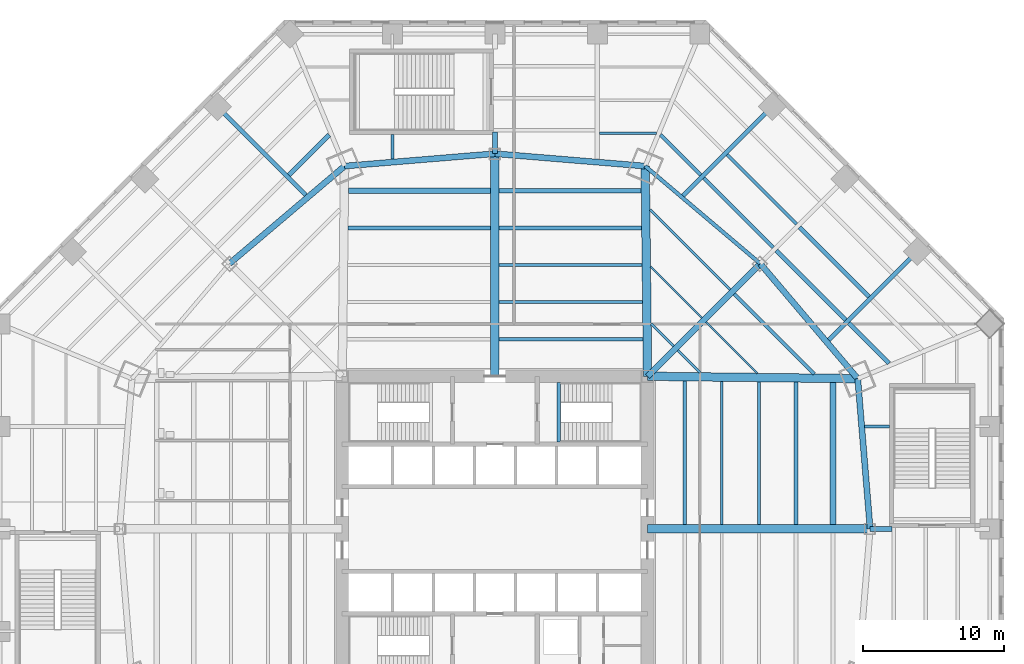
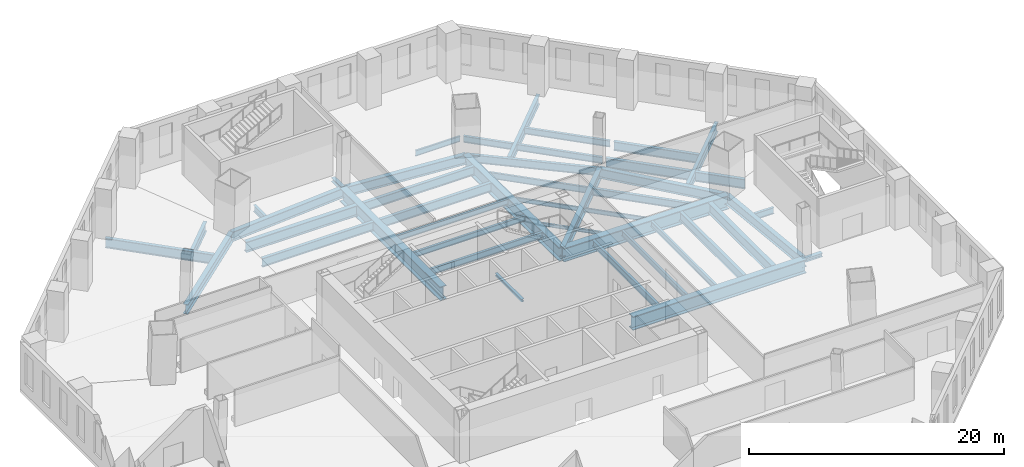
# One storey, part 5 of 19: 43 beams, 2 members.
"""IFC4 building model written with IfcOpenShell, lengths in metres."""

from ifc_helpers import new_model, si_unit, direction, frame, origin, origin_2d, place, context, subcontext, project, spatial, i_section, extrude, source, transform, mapped, material, material_profile, profile_set, type_object, type_shapes, element, save


model = new_model("IFC4")

# Units and contexts
model_context = context("Model", 3, precision=1e-05, world=origin(), true_north=direction((0.0, 1.0)))
body_context = subcontext(model_context, "Body", "Model", "MODEL_VIEW")
ifc_project = project(units=[si_unit("LENGTHUNIT", "METRE"), si_unit("AREAUNIT", "SQUARE_METRE"), si_unit("VOLUMEUNIT", "CUBIC_METRE"), si_unit("PLANEANGLEUNIT", "RADIAN"), si_unit("MASSUNIT", "GRAM", prefix="KILO")], contexts=[model_context])

# Site, building, storey
site_placement = place(None, origin())
site = spatial("IfcSite", under=ifc_project, at=site_placement, CompositionType="ELEMENT")
building_placement = place(site_placement, origin())
building = spatial("IfcBuilding", under=site, at=building_placement, Name="Mashrafa Tower", CompositionType="ELEMENT")
storey_placement = place(building_placement, frame((0.0, 0.0, 24.0)))
storey = spatial("IfcBuildingStorey", under=building, at=storey_placement, Name="L04", CompositionType="ELEMENT", Elevation=24.0)

# Beams
ifc_material_1 = material(Name="Steel ASTM A572 Gr 50", Category="steel")
ifc_material_profile_1 = material_profile(ifc_material_1, i_section(OverallWidth=0.60009765625, OverallDepth=1.300048828125, WebThickness=0.028076171875, FlangeThickness=0.06494140625, at=origin_2d()), Name="H1300X600X28X65")
ifc_profile_set_1 = profile_set([ifc_material_profile_1], Name="Steel ASTM A572 Gr 50")
beam_type_1 = type_object("IfcBeamType", Name="Beam H1300X600X28X65", PredefinedType="BEAM", material=ifc_profile_set_1)
for number, where, z_axis, x_axis, name in (
    (1, (0.0, 10.800048828125, -0.949951171875), (0.0, 1.0, 0.0), (-1.0, 0.0, 0.0), "Radial girder L04 217"),
    (2, (10.800048828125, 0.0, -0.949951171875), (1.0, 0.0, 0.0), (0.0, 1.0, 0.0), "Radial girder L04 221"),
):
    element("IfcBeam", number, at=place(storey_placement, frame(where, z_axis=z_axis, x_axis=x_axis)), inside=storey, type_object=beam_type_1, Name=name, PredefinedType="BEAM", context=body_context, shape_type="SweptSolid", body=[
        extrude(i_section(OverallWidth=0.60009765625, OverallDepth=1.300048828125, WebThickness=0.028076171875, FlangeThickness=0.06494140625, at=origin_2d()), origin(), (0.0, 0.0, 1.0), 15.744140625),
    ])
for number, where, z_axis, x_axis, name in (
    (3, (10.800048828125, 10.800048828125, -0.949951171875), (-0.011363835661, 0.999935429535, 0.0), (-0.999935429535, -0.011363835661, 0.0), "Radial girder L04 222"),
    (4, (10.800048828125, 10.800048828125, -0.949951171875), (0.999935429535, -0.011363835661, 0.0), (0.011363835661, 0.999935429535, 0.0), "Radial girder L04 224"),
):
    element("IfcBeam", number, at=place(storey_placement, frame(where, z_axis=z_axis, x_axis=x_axis)), inside=storey, type_object=beam_type_1, Name=name, PredefinedType="BEAM", context=body_context, shape_type="SweptSolid", body=[
        extrude(i_section(OverallWidth=0.60009765625, OverallDepth=1.300048828125, WebThickness=0.028076171875, FlangeThickness=0.06494140625, at=origin_2d()), origin(), (0.0, 0.0, 1.0), 14.866943359375),
    ])
ifc_material_2 = material(Name="Steel ASTM A992", Category="steel")
ifc_material_profile_2 = material_profile(ifc_material_2, i_section(OverallWidth=0.164794921875, OverallDepth=0.309814453125, WebThickness=0.005859375, FlangeThickness=0.009765625, FilletRadius=0.007568359375, at=origin_2d()), Name="W12X26")
ifc_profile_set_2 = profile_set([ifc_material_profile_2], Name="Steel ASTM A992")
beam_type_2 = type_object("IfcBeamType", Name="Beam W12X26", PredefinedType="BEAM", material=ifc_profile_set_2)
for number, where, z_axis, x_axis, name in (
    (5, (11.0576171875, 14.527099609375, -0.454833984375), (0.707106781187, -0.707106781187, 0.0), (0.707106781187, 0.707106781187, 0.0), "Floor beam L04 078"),
    (6, (12.9423828125, 12.642333984375, -0.454833984375), (0.707106781187, -0.707106781187, 0.0), (0.707106781187, 0.707106781187, 0.0), "Floor beam L04 084"),
):
    element("IfcBeam", number, at=place(storey_placement, frame(where, z_axis=z_axis, x_axis=x_axis)), inside=storey, type_object=beam_type_2, Name=name, PredefinedType="BEAM", context=body_context, shape_type="SweptSolid", body=[
        extrude(i_section(OverallWidth=0.164794921875, OverallDepth=0.309814453125, WebThickness=0.005859375, FlangeThickness=0.009765625, FilletRadius=0.007568359375, at=origin_2d()), origin(), (0.0, 0.0, 1.0), 2.2412109375),
    ])
ifc_material_3 = material(Name="Steel ASTM A992", Category="steel")
ifc_material_profile_3 = material_profile(ifc_material_3, i_section(OverallWidth=0.140380859375, OverallDepth=0.40380859375, WebThickness=0.007080078125, FlangeThickness=0.01123046875, FilletRadius=0.01025390625, at=origin_2d()), Name="W16X31")
ifc_profile_set_3 = profile_set([ifc_material_profile_3], Name="Steel ASTM A992")
beam_type_3 = type_object("IfcBeamType", Name="Beam W16X31", PredefinedType="BEAM", material=ifc_profile_set_3)
for number, where, z_axis, x_axis, name in (
    (7, (11.011962890625, 18.5576171875, -0.501953125), (0.707106781187, -0.707106781187, 0.0), (0.707106781187, 0.707106781187, 0.0), "Floor beam L04 075"),
    (8, (14.934814453125, 14.634765625, -0.501953125), (0.707106781187, -0.707106781187, 0.0), (0.707106781187, 0.707106781187, 0.0), "Floor beam L04 090"),
):
    element("IfcBeam", number, at=place(storey_placement, frame(where, z_axis=z_axis, x_axis=x_axis)), inside=storey, type_object=beam_type_3, Name=name, PredefinedType="BEAM", context=body_context, shape_type="SweptSolid", body=[
        extrude(i_section(OverallWidth=0.140380859375, OverallDepth=0.40380859375, WebThickness=0.007080078125, FlangeThickness=0.01123046875, FilletRadius=0.01025390625, at=origin_2d()), origin(), (0.0, 0.0, 1.0), 5.12353515625),
    ])
ifc_material_4 = material(Name="Steel ASTM A992", Category="steel")
ifc_material_profile_4 = material_profile(ifc_material_4, i_section(OverallWidth=0.1650390625, OverallDepth=0.52587890625, WebThickness=0.0087890625, FlangeThickness=0.011474609375, FilletRadius=0.0126953125, at=origin_2d()), Name="W21X44")
ifc_profile_set_4 = profile_set([ifc_material_profile_4], Name="Steel ASTM A992")
beam_type_4 = type_object("IfcBeamType", Name="Beam W21X44", PredefinedType="BEAM", material=ifc_profile_set_4)
beam_1_placement = place(storey_placement, frame((7.40234375, 27.99951171875, -0.56298828125), z_axis=(1.0, 0.0, 0.0), x_axis=(0.0, 1.0, 0.0)))
element("IfcBeam", 9, at=beam_1_placement, inside=storey, type_object=beam_type_4, Name="Floor beam L04 069", PredefinedType="BEAM", context=body_context, shape_type="SweptSolid", body=[
    extrude(i_section(OverallWidth=0.1650390625, OverallDepth=0.52587890625, WebThickness=0.0087890625, FlangeThickness=0.011474609375, FilletRadius=0.0126953125, at=origin_2d()), origin(), (0.0, 0.0, 1.0), 4.029052734375),
])
ifc_material_5 = material(Name="Steel ASTM A992", Category="steel")
ifc_material_profile_5 = material_profile(ifc_material_5, i_section(OverallWidth=0.209228515625, OverallDepth=0.533447265625, WebThickness=0.01025390625, FlangeThickness=0.015625, FilletRadius=0.012939453125, at=origin_2d()), Name="W21X62")
ifc_profile_set_5 = profile_set([ifc_material_profile_5], Name="Steel ASTM A992")
beam_type_5 = type_object("IfcBeamType", Name="Beam W21X62", PredefinedType="BEAM", material=ifc_profile_set_5)
beam_2_placement = place(storey_placement, frame((0.300048828125, 16.048095703125, -0.566650390625), z_axis=(1.0, 0.0, 0.0), x_axis=(0.0, 1.0, 0.0)))
element("IfcBeam", 10, at=beam_2_placement, inside=storey, type_object=beam_type_5, Name="Floor beam L04 062", PredefinedType="BEAM", context=body_context, shape_type="SweptSolid", body=[
    extrude(i_section(OverallWidth=0.209228515625, OverallDepth=0.533447265625, WebThickness=0.01025390625, FlangeThickness=0.015625, FilletRadius=0.012939453125, at=origin_2d()), origin(), (0.0, 0.0, 1.0), 10.140380859375),
])
beam_3_placement = place(storey_placement, frame((0.300048828125, 18.672119140625, -0.566650390625), z_axis=(1.0, 0.0, 0.0), x_axis=(0.0, 1.0, 0.0)))
element("IfcBeam", 11, at=beam_3_placement, inside=storey, type_object=beam_type_5, Name="Floor beam L04 063", PredefinedType="BEAM", context=body_context, shape_type="SweptSolid", body=[
    extrude(i_section(OverallWidth=0.209228515625, OverallDepth=0.533447265625, WebThickness=0.01025390625, FlangeThickness=0.015625, FilletRadius=0.012939453125, at=origin_2d()), origin(), (0.0, 0.0, 1.0), 10.110595703125),
])
beam_4_placement = place(storey_placement, frame((16.048095703125, 10.4404296875, -0.566650390625), z_axis=(0.0, -1.0, 0.0), x_axis=(1.0, 0.0, 0.0)))
element("IfcBeam", 12, at=beam_4_placement, inside=storey, type_object=beam_type_5, Name="Floor beam L04 093", PredefinedType="BEAM", context=body_context, shape_type="SweptSolid", body=[
    extrude(i_section(OverallWidth=0.209228515625, OverallDepth=0.533447265625, WebThickness=0.01025390625, FlangeThickness=0.015625, FilletRadius=0.012939453125, at=origin_2d()), origin(), (0.0, 0.0, 1.0), 10.140380859375),
])
beam_5_placement = place(storey_placement, frame((18.672119140625, 10.41064453125, -0.566650390625), z_axis=(0.0, -1.0, 0.0), x_axis=(1.0, 0.0, 0.0)))
element("IfcBeam", 13, at=beam_5_placement, inside=storey, type_object=beam_type_5, Name="Floor beam L04 097", PredefinedType="BEAM", context=body_context, shape_type="SweptSolid", body=[
    extrude(i_section(OverallWidth=0.209228515625, OverallDepth=0.533447265625, WebThickness=0.01025390625, FlangeThickness=0.015625, FilletRadius=0.012939453125, at=origin_2d()), origin(), (0.0, 0.0, 1.0), 10.110595703125),
])
ifc_material_6 = material(Name="Steel ASTM A992", Category="steel")
ifc_material_profile_6 = material_profile(ifc_material_6, i_section(OverallWidth=0.177978515625, OverallDepth=0.599365234375, WebThickness=0.010009765625, FlangeThickness=0.012939453125, FilletRadius=0.012939453125, at=origin_2d()), Name="W24X55")
ifc_profile_set_6 = profile_set([ifc_material_profile_6], Name="Steel ASTM A992")
beam_type_6 = type_object("IfcBeamType", Name="Beam W24X55", PredefinedType="BEAM", material=ifc_profile_set_6)
beam_6_placement = place(storey_placement, frame((10.96630859375, 22.588134765625, -0.599609375), z_axis=(0.707106781187, -0.707106781187, 0.0), x_axis=(0.707106781187, 0.707106781187, 0.0)))
element("IfcBeam", 14, at=beam_6_placement, inside=storey, type_object=beam_type_6, Name="Floor beam L04 073", PredefinedType="BEAM", context=body_context, shape_type="SweptSolid", body=[
    extrude(i_section(OverallWidth=0.177978515625, OverallDepth=0.599365234375, WebThickness=0.010009765625, FlangeThickness=0.012939453125, FilletRadius=0.012939453125, at=origin_2d()), origin(), (0.0, 0.0, 1.0), 8.005615234375),
])
ifc_material_7 = material(Name="Steel ASTM A992", Category="steel")
ifc_material_profile_7 = material_profile(ifc_material_7, i_section(OverallWidth=0.227783203125, OverallDepth=0.60205078125, WebThickness=0.010498046875, FlangeThickness=0.014892578125, FilletRadius=0.012939453125, at=origin_2d()), Name="W24X68")
ifc_profile_set_7 = profile_set([ifc_material_profile_7], Name="Steel ASTM A992")
beam_type_7 = type_object("IfcBeamType", Name="Beam W24X68", PredefinedType="BEAM", material=ifc_profile_set_7)
beam_7_placement = place(storey_placement, frame((16.431640625, 26.465576171875, -0.60107421875), z_axis=(0.707124347529, -0.707089214407, 0.0), x_axis=(0.707089214407, 0.707124347529, 0.0)))
element("IfcBeam", 15, at=beam_7_placement, inside=storey, type_object=beam_type_7, Name="Floor beam L04 082 part 2", PredefinedType="BEAM", context=body_context, shape_type="SweptSolid", body=[
    extrude(i_section(OverallWidth=0.227783203125, OverallDepth=0.60205078125, WebThickness=0.010498046875, FlangeThickness=0.014892578125, FilletRadius=0.012939453125, at=origin_2d()), origin(), (0.0, 0.0, 1.0), 6.948974609375),
])
for number, where, z_axis, x_axis, name in (
    (16, (-7.248779296875, 26.15576171875, -0.60107421875), (0.0, 1.0, 0.0), (-1.0, 0.0, 0.0), "Podium radial beam L04 169"),
    (17, (26.15576171875, 7.248779296875, -0.60107421875), (1.0, 0.0, 0.0), (0.0, 1.0, 0.0), "Podium radial beam L04 189"),
):
    element("IfcBeam", number, at=place(storey_placement, frame(where, z_axis=z_axis, x_axis=x_axis)), inside=storey, type_object=beam_type_7, Name=name, PredefinedType="BEAM", context=body_context, shape_type="SweptSolid", body=[
        extrude(i_section(OverallWidth=0.227783203125, OverallDepth=0.60205078125, WebThickness=0.010498046875, FlangeThickness=0.014892578125, FilletRadius=0.012939453125, at=origin_2d()), origin(), (0.0, 0.0, 1.0), 1.744140625),
    ])
ifc_material_8 = material(Name="Steel ASTM A992", Category="steel")
ifc_material_profile_8 = material_profile(ifc_material_8, i_section(OverallWidth=0.228271484375, OverallDepth=0.607177734375, WebThickness=0.01123046875, FlangeThickness=0.017333984375, FilletRadius=0.0126953125, at=origin_2d()), Name="W24X76")
ifc_profile_set_8 = profile_set([ifc_material_profile_8], Name="Steel ASTM A992")
beam_type_8 = type_object("IfcBeamType", Name="Beam W24X76", PredefinedType="BEAM", material=ifc_profile_set_8)
for number, where, z_axis, x_axis, name in (
    (18, (0.300048828125, 13.424072265625, -0.603515625), (1.0, 0.0, 0.0), (0.0, 1.0, 0.0), "Floor beam L04 061"),
    (19, (13.424072265625, 10.47021484375, -0.603515625), (0.0, -1.0, 0.0), (1.0, 0.0, 0.0), "Floor beam L04 086"),
):
    element("IfcBeam", number, at=place(storey_placement, frame(where, z_axis=z_axis, x_axis=x_axis)), inside=storey, type_object=beam_type_8, Name=name, PredefinedType="BEAM", context=body_context, shape_type="SweptSolid", body=[
        extrude(i_section(OverallWidth=0.228271484375, OverallDepth=0.607177734375, WebThickness=0.01123046875, FlangeThickness=0.017333984375, FilletRadius=0.0126953125, at=origin_2d()), origin(), (0.0, 0.0, 1.0), 10.170166015625),
    ])
ifc_material_9 = material(Name="Steel ASTM A992", Category="steel")
ifc_material_profile_9 = material_profile(ifc_material_9, i_section(OverallWidth=0.22900390625, OverallDepth=0.612060546875, WebThickness=0.011962890625, FlangeThickness=0.01953125, FilletRadius=0.0126953125, at=origin_2d()), Name="W24X84")
ifc_profile_set_9 = profile_set([ifc_material_profile_9], Name="Steel ASTM A992")
beam_type_9 = type_object("IfcBeamType", Name="Beam W24X84", PredefinedType="BEAM", material=ifc_profile_set_9)
beam_8_placement = place(storey_placement, frame((11.71533203125, 27.882080078125, -0.60595703125), z_axis=(0.707106781187, -0.707106781187, 0.0), x_axis=(0.707106781187, 0.707106781187, 0.0)))
element("IfcBeam", 20, at=beam_8_placement, inside=storey, type_object=beam_type_9, Name="Floor beam L04 080 part 1", PredefinedType="BEAM", context=body_context, shape_type="SweptSolid", body=[
    extrude(i_section(OverallWidth=0.22900390625, OverallDepth=0.612060546875, WebThickness=0.011962890625, FlangeThickness=0.01953125, FilletRadius=0.0126953125, at=origin_2d()), origin(), (0.0, 0.0, 1.0), 4.02880859375),
])
beam_9_placement = place(storey_placement, frame((14.78173828125, 24.815673828125, -0.60595703125), z_axis=(0.707106781187, -0.707106781187, 0.0), x_axis=(0.707106781187, 0.707106781187, 0.0)))
element("IfcBeam", 21, at=beam_9_placement, inside=storey, type_object=beam_type_9, Name="Floor beam L04 080 part 2", PredefinedType="BEAM", context=body_context, shape_type="SweptSolid", body=[
    extrude(i_section(OverallWidth=0.22900390625, OverallDepth=0.612060546875, WebThickness=0.011962890625, FlangeThickness=0.01953125, FilletRadius=0.0126953125, at=origin_2d()), origin(), (0.0, 0.0, 1.0), 6.94873046875),
])
ifc_material_10 = material(Name="Steel ASTM A992", Category="steel")
ifc_material_profile_10 = material_profile(ifc_material_10, i_section(OverallWidth=0.256591796875, OverallDepth=0.693359375, WebThickness=0.014404296875, FlangeThickness=0.023681640625, FilletRadius=0.01513671875, at=origin_2d()), Name="W27X114")
ifc_profile_set_10 = profile_set([ifc_material_profile_10], Name="Steel ASTM A992")
beam_type_10 = type_object("IfcBeamType", Name="Beam W27X114", PredefinedType="BEAM", material=ifc_profile_set_10)
beam_10_placement = place(storey_placement, frame((16.92724609375, 16.627197265625, -0.646728515625), z_axis=(0.707106781187, -0.707106781187, 0.0), x_axis=(0.707106781187, 0.707106781187, 0.0)))
element("IfcBeam", 22, at=beam_10_placement, inside=storey, type_object=beam_type_10, Name="Floor beam L04 095", PredefinedType="BEAM", context=body_context, shape_type="SweptSolid", body=[
    extrude(i_section(OverallWidth=0.256591796875, OverallDepth=0.693359375, WebThickness=0.014404296875, FlangeThickness=0.023681640625, FilletRadius=0.01513671875, at=origin_2d()), origin(), (0.0, 0.0, 1.0), 8.005615234375),
])
ifc_material_11 = material(Name="Steel ASTM A992", Category="steel")
ifc_material_profile_11 = material_profile(ifc_material_11, i_section(OverallWidth=0.2666015625, OverallDepth=0.75439453125, WebThickness=0.01318359375, FlangeThickness=0.01708984375, FilletRadius=0.0166015625, at=origin_2d()), Name="W30X99")
ifc_profile_set_11 = profile_set([ifc_material_profile_11], Name="Steel ASTM A992")
beam_type_11 = type_object("IfcBeamType", Name="Beam W30X99", PredefinedType="BEAM", material=ifc_profile_set_11)
beam_11_placement = place(storey_placement, frame((18.76953125, 18.76953125, -0.67724609375), z_axis=(-0.762918176562, 0.646495054793, 0.0), x_axis=(-0.646495054793, -0.762918176562, 0.0)))
element("IfcBeam", 23, at=beam_11_placement, inside=storey, type_object=beam_type_11, Name="Podium ring girder L04 205", PredefinedType="BEAM", context=body_context, shape_type="SweptSolid", body=[
    extrude(i_section(OverallWidth=0.2666015625, OverallDepth=0.75439453125, WebThickness=0.01318359375, FlangeThickness=0.01708984375, FilletRadius=0.0166015625, at=origin_2d()), origin(), (0.0, 0.0, 1.0), 10.66748046875),
])
ifc_material_12 = material(Name="Steel ASTM A992", Category="steel")
ifc_material_profile_12 = material_profile(ifc_material_12, i_section(OverallWidth=0.2919921875, OverallDepth=0.8408203125, WebThickness=0.0146484375, FlangeThickness=0.021728515625, FilletRadius=0.017333984375, at=origin_2d()), Name="W33X130")
ifc_profile_set_12 = profile_set([ifc_material_profile_12], Name="Steel ASTM A992")
beam_type_12 = type_object("IfcBeamType", Name="Beam W33X130", PredefinedType="BEAM", material=ifc_profile_set_12)
for number, where, z_axis, x_axis, name in (
    (24, (-10.380859375, 21.296142578125, -0.720458984375), (1.0, 0.0, 0.0), (0.0, 1.0, 0.0), "Floor beam L04 047"),
    (25, (0.300048828125, 21.296142578125, -0.720458984375), (1.0, 0.0, 0.0), (0.0, 1.0, 0.0), "Floor beam L04 064"),
    (26, (21.296142578125, 10.380859375, -0.720458984375), (0.0, -1.0, 0.0), (1.0, 0.0, 0.0), "Floor beam L04 102"),
):
    element("IfcBeam", number, at=place(storey_placement, frame(where, z_axis=z_axis, x_axis=x_axis)), inside=storey, type_object=beam_type_12, Name=name, PredefinedType="BEAM", context=body_context, shape_type="SweptSolid", body=[
        extrude(i_section(OverallWidth=0.2919921875, OverallDepth=0.8408203125, WebThickness=0.0146484375, FlangeThickness=0.021728515625, FilletRadius=0.017333984375, at=origin_2d()), origin(), (0.0, 0.0, 1.0), 10.080810546875),
    ])
ifc_material_13 = material(Name="Steel ASTM A992", Category="steel")
ifc_material_profile_13 = material_profile(ifc_material_13, i_section(OverallWidth=0.2919921875, OverallDepth=0.845703125, WebThickness=0.015380859375, FlangeThickness=0.0244140625, FilletRadius=0.017333984375, at=origin_2d()), Name="W33X141")
ifc_profile_set_13 = profile_set([ifc_material_profile_13], Name="Steel ASTM A992")
beam_type_13 = type_object("IfcBeamType", Name="Beam W33X141", PredefinedType="BEAM", material=ifc_profile_set_13)
beam_12_placement = place(storey_placement, frame((0.300048828125, 23.92041015625, -0.722900390625), z_axis=(1.0, 0.0, 0.0), x_axis=(0.0, 1.0, 0.0)))
element("IfcBeam", 27, at=beam_12_placement, inside=storey, type_object=beam_type_13, Name="Floor beam L04 065", PredefinedType="BEAM", context=body_context, shape_type="SweptSolid", body=[
    extrude(i_section(OverallWidth=0.2919921875, OverallDepth=0.845703125, WebThickness=0.015380859375, FlangeThickness=0.0244140625, FilletRadius=0.017333984375, at=origin_2d()), origin(), (0.0, 0.0, 1.0), 10.051025390625),
])
beam_13_placement = place(storey_placement, frame((21.552001953125, 21.345458984375, -0.722900390625), z_axis=(0.707089214407, -0.707124347529, 0.0), x_axis=(0.707124347529, 0.707089214407, 0.0)))
element("IfcBeam", 28, at=beam_13_placement, inside=storey, type_object=beam_type_13, Name="Floor beam L04 104 part 1", PredefinedType="BEAM", context=body_context, shape_type="SweptSolid", body=[
    extrude(i_section(OverallWidth=0.2919921875, OverallDepth=0.845703125, WebThickness=0.015380859375, FlangeThickness=0.0244140625, FilletRadius=0.017333984375, at=origin_2d()), origin(), (0.0, 0.0, 1.0), 6.948974609375),
])
ifc_material_14 = material(Name="Steel ASTM A992", Category="steel")
ifc_material_profile_14 = material_profile(ifc_material_14, i_section(OverallWidth=0.3046875, OverallDepth=0.911865234375, WebThickness=0.015869140625, FlangeThickness=0.02392578125, FilletRadius=0.01904296875, at=origin_2d()), Name="W36X150")
ifc_profile_set_14 = profile_set([ifc_material_profile_14], Name="Steel ASTM A992")
beam_type_14 = type_object("IfcBeamType", Name="Beam W36X150", PredefinedType="BEAM", material=ifc_profile_set_14)
beam_14_placement = place(storey_placement, frame((-14.564208984375, 25.033203125, -0.755859375), z_axis=(0.707106781187, 0.707106781187, 0.0), x_axis=(-0.707106781187, 0.707106781187, 0.0)))
element("IfcBeam", 29, at=beam_14_placement, inside=storey, type_object=beam_type_14, Name="Floor beam L04 022 part 2", PredefinedType="BEAM", context=body_context, shape_type="SweptSolid", body=[
    extrude(i_section(OverallWidth=0.3046875, OverallDepth=0.911865234375, WebThickness=0.015869140625, FlangeThickness=0.02392578125, FilletRadius=0.01904296875, at=origin_2d()), origin(), (0.0, 0.0, 1.0), 4.02880859375),
])
beam_15_placement = place(storey_placement, frame((19.902099609375, 19.6953125, -0.755859375), z_axis=(0.707106781187, -0.707106781187, 0.0), x_axis=(0.707106781187, 0.707106781187, 0.0)))
element("IfcBeam", 30, at=beam_15_placement, inside=storey, type_object=beam_type_14, Name="Floor beam L04 100 part 1", PredefinedType="BEAM", context=body_context, shape_type="SweptSolid", body=[
    extrude(i_section(OverallWidth=0.3046875, OverallDepth=0.911865234375, WebThickness=0.015869140625, FlangeThickness=0.02392578125, FilletRadius=0.01904296875, at=origin_2d()), origin(), (0.0, 0.0, 1.0), 6.94873046875),
])
beam_16_placement = place(storey_placement, frame((25.033203125, 14.564208984375, -0.755859375), z_axis=(0.707106781187, -0.707106781187, 0.0), x_axis=(0.707106781187, 0.707106781187, 0.0)))
element("IfcBeam", 31, at=beam_16_placement, inside=storey, type_object=beam_type_14, Name="Floor beam L04 100 part 2", PredefinedType="BEAM", context=body_context, shape_type="SweptSolid", body=[
    extrude(i_section(OverallWidth=0.3046875, OverallDepth=0.911865234375, WebThickness=0.015869140625, FlangeThickness=0.02392578125, FilletRadius=0.01904296875, at=origin_2d()), origin(), (0.0, 0.0, 1.0), 4.02880859375),
])
ifc_material_15 = material(Name="Steel ASTM A992", Category="steel")
ifc_material_profile_15 = material_profile(ifc_material_15, i_section(OverallWidth=0.307373046875, OverallDepth=0.927001953125, WebThickness=0.01953125, FlangeThickness=0.031982421875, FilletRadius=0.01904296875, at=origin_2d()), Name="W36X194")
ifc_profile_set_15 = profile_set([ifc_material_profile_15], Name="Steel ASTM A992")
beam_type_15 = type_object("IfcBeamType", Name="Beam W36X194", PredefinedType="BEAM", material=ifc_profile_set_15)
beam_17_placement = place(storey_placement, frame((-13.369384765625, 23.62060546875, -0.763671875), z_axis=(-0.707092978729, 0.707120583374, 0.0), x_axis=(-0.707120583374, -0.707092978729, 0.0)))
element("IfcBeam", 32, at=beam_17_placement, inside=storey, type_object=beam_type_15, Name="Podium radial beam L04 165", PredefinedType="BEAM", context=body_context, shape_type="SweptSolid", body=[
    extrude(i_section(OverallWidth=0.307373046875, OverallDepth=0.927001953125, WebThickness=0.01953125, FlangeThickness=0.031982421875, FilletRadius=0.01904296875, at=origin_2d()), origin(), (0.0, 0.0, 1.0), 8.84423828125),
])
beam_18_placement = place(storey_placement, frame((13.315185546875, 23.56640625, -0.763671875), z_axis=(0.707093097324, 0.707120464785, 0.0), x_axis=(-0.707120464785, 0.707093097324, 0.0)))
element("IfcBeam", 33, at=beam_18_placement, inside=storey, type_object=beam_type_15, Name="Podium radial beam L04 181", PredefinedType="BEAM", context=body_context, shape_type="SweptSolid", body=[
    extrude(i_section(OverallWidth=0.307373046875, OverallDepth=0.927001953125, WebThickness=0.01953125, FlangeThickness=0.031982421875, FilletRadius=0.01904296875, at=origin_2d()), origin(), (0.0, 0.0, 1.0), 8.9208984375),
])
beam_19_placement = place(storey_placement, frame((23.62060546875, 13.369384765625, -0.763671875), z_axis=(0.707120583374, 0.707092978729, 0.0), x_axis=(-0.707092978729, 0.707120583374, 0.0)))
element("IfcBeam", 34, at=beam_19_placement, inside=storey, type_object=beam_type_15, Name="Podium radial beam L04 185", PredefinedType="BEAM", context=body_context, shape_type="SweptSolid", body=[
    extrude(i_section(OverallWidth=0.307373046875, OverallDepth=0.927001953125, WebThickness=0.01953125, FlangeThickness=0.031982421875, FilletRadius=0.01904296875, at=origin_2d()), origin(), (0.0, 0.0, 1.0), 8.84423828125),
])
ifc_material_16 = material(Name="Steel ASTM A992", Category="steel")
ifc_material_profile_16 = material_profile(ifc_material_16, i_section(OverallWidth=0.419189453125, OverallDepth=0.927001953125, WebThickness=0.019287109375, FlangeThickness=0.031982421875, FilletRadius=0.020263671875, at=origin_2d()), Name="W36X231")
ifc_profile_set_16 = profile_set([ifc_material_profile_16], Name="Steel ASTM A992")
beam_type_16 = type_object("IfcBeamType", Name="Beam W36X231", PredefinedType="BEAM", material=ifc_profile_set_16)
beam_20_placement = place(storey_placement, frame((-10.631103515625, 25.666015625, -0.763671875), z_axis=(-0.762918176562, -0.646495054793, 0.0), x_axis=(0.646495054793, -0.762918176562, 0.0)))
element("IfcBeam", 35, at=beam_20_placement, inside=storey, type_object=beam_type_16, Name="Podium ring girder L04 199", PredefinedType="BEAM", context=body_context, shape_type="SweptSolid", body=[
    extrude(i_section(OverallWidth=0.419189453125, OverallDepth=0.927001953125, WebThickness=0.019287109375, FlangeThickness=0.031982421875, FilletRadius=0.020263671875, at=origin_2d()), origin(), (0.0, 0.0, 1.0), 10.66748046875),
])
for number, where, z_axis, x_axis, name in (
    (36, (0.0, 26.544189453125, -0.763671875), (-0.996605633993, -0.082323813652, 0.0), (0.082323813652, -0.996605633993, 0.0), "Podium ring girder L04 201"),
    (37, (10.631103515625, 25.666015625, -0.763671875), (-0.996605633993, 0.082323813652, 0.0), (-0.082323813652, -0.996605633993, 0.0), "Podium ring girder L04 203"),
):
    element("IfcBeam", number, at=place(storey_placement, frame(where, z_axis=z_axis, x_axis=x_axis)), inside=storey, type_object=beam_type_16, Name=name, PredefinedType="BEAM", context=body_context, shape_type="SweptSolid", body=[
        extrude(i_section(OverallWidth=0.419189453125, OverallDepth=0.927001953125, WebThickness=0.019287109375, FlangeThickness=0.031982421875, FilletRadius=0.020263671875, at=origin_2d()), origin(), (0.0, 0.0, 1.0), 10.667236328125),
    ])
beam_21_placement = place(storey_placement, frame((25.666015625, 10.631103515625, -0.763671875), z_axis=(-0.646495054793, 0.762918176562, 0.0), x_axis=(-0.762918176562, -0.646495054793, 0.0)))
element("IfcBeam", 38, at=beam_21_placement, inside=storey, type_object=beam_type_16, Name="Podium ring girder L04 207", PredefinedType="BEAM", context=body_context, shape_type="SweptSolid", body=[
    extrude(i_section(OverallWidth=0.419189453125, OverallDepth=0.927001953125, WebThickness=0.019287109375, FlangeThickness=0.031982421875, FilletRadius=0.020263671875, at=origin_2d()), origin(), (0.0, 0.0, 1.0), 10.66748046875),
])
beam_22_placement = place(storey_placement, frame((26.544189453125, 0.0, -0.763671875), z_axis=(-0.082323813652, 0.996605633993, 0.0), x_axis=(-0.996605633993, -0.082323813652, 0.0)))
element("IfcBeam", 39, at=beam_22_placement, inside=storey, type_object=beam_type_16, Name="Podium ring girder L04 208", PredefinedType="BEAM", context=body_context, shape_type="SweptSolid", body=[
    extrude(i_section(OverallWidth=0.419189453125, OverallDepth=0.927001953125, WebThickness=0.019287109375, FlangeThickness=0.031982421875, FilletRadius=0.020263671875, at=origin_2d()), origin(), (0.0, 0.0, 1.0), 10.667236328125),
])
ifc_material_17 = material(Name="Steel ASTM A992", Category="steel")
ifc_material_profile_17 = material_profile(ifc_material_17, i_section(OverallWidth=0.424072265625, OverallDepth=0.960205078125, WebThickness=0.028564453125, FlangeThickness=0.051025390625, FilletRadius=0.02001953125, at=origin_2d()), Name="W36X361")
ifc_profile_set_17 = profile_set([ifc_material_profile_17], Name="Steel ASTM A992")
beam_type_17 = type_object("IfcBeamType", Name="Beam W36X361", PredefinedType="BEAM", material=ifc_profile_set_17)
beam_23_placement = place(storey_placement, frame((10.800048828125, 10.800048828125, -0.780029296875), z_axis=(0.707106781187, 0.707106781187, 0.0), x_axis=(-0.707106781187, 0.707106781187, 0.0)))
element("IfcBeam", 40, at=beam_23_placement, inside=storey, type_object=beam_type_17, Name="Radial girder L04 223", PredefinedType="BEAM", context=body_context, shape_type="SweptSolid", body=[
    extrude(i_section(OverallWidth=0.424072265625, OverallDepth=0.960205078125, WebThickness=0.028564453125, FlangeThickness=0.051025390625, FilletRadius=0.02001953125, at=origin_2d()), origin(), (0.0, 0.0, 1.0), 11.2705078125),
])
ifc_material_18 = material(Name="Steel ASTM A992", Category="steel")
ifc_material_profile_18 = material_profile(ifc_material_18, i_section(OverallWidth=0.4013671875, OverallDepth=1.010986328125, WebThickness=0.023681640625, FlangeThickness=0.0419921875, FilletRadius=0.02001953125, at=origin_2d()), Name="W40X297")
ifc_profile_set_18 = profile_set([ifc_material_profile_18], Name="Steel ASTM A992")
beam_type_18 = type_object("IfcBeamType", Name="Beam W40X297", PredefinedType="BEAM", material=ifc_profile_set_18)
for number, where, z_axis, x_axis, name in (
    (41, (-10.35107421875, 23.92041015625, -0.805419921875), (1.0, 0.0, 0.0), (0.0, 1.0, 0.0), "Floor beam L04 049"),
    (42, (23.92041015625, 10.35107421875, -0.805419921875), (0.0, -1.0, 0.0), (1.0, 0.0, 0.0), "Floor beam L04 109"),
):
    element("IfcBeam", number, at=place(storey_placement, frame(where, z_axis=z_axis, x_axis=x_axis)), inside=storey, type_object=beam_type_18, Name=name, PredefinedType="BEAM", context=body_context, shape_type="SweptSolid", body=[
        extrude(i_section(OverallWidth=0.4013671875, OverallDepth=1.010986328125, WebThickness=0.023681640625, FlangeThickness=0.0419921875, FilletRadius=0.02001953125, at=origin_2d()), origin(), (0.0, 0.0, 1.0), 10.051025390625),
    ])
ifc_material_19 = material(Name="Steel ASTM A992", Category="steel")
ifc_material_profile_19 = material_profile(ifc_material_19, i_section(OverallWidth=0.25390625, OverallDepth=0.25390625, WebThickness=0.008544921875, FlangeThickness=0.01416015625, FilletRadius=0.010009765625, at=origin_2d()), Name="W10X49")
ifc_profile_set_19 = profile_set([ifc_material_profile_19], Name="Steel ASTM A992")
beam_type_19 = type_object("IfcBeamType", Name="Hoistway beam W10X49", PredefinedType="BEAM", material=ifc_profile_set_19)
beam_24_placement = place(storey_placement, frame((4.530029296875, 6.14990234375, -0.427001953125), z_axis=(0.0, 1.0, 0.0), x_axis=(-1.0, 0.0, 0.0)))
element("IfcBeam", 43, at=beam_24_placement, inside=storey, type_object=beam_type_19, Name="Stair S2 landing beam L04", PredefinedType="BEAM", context=body_context, shape_type="SweptSolid", body=[
    extrude(i_section(OverallWidth=0.25390625, OverallDepth=0.25390625, WebThickness=0.008544921875, FlangeThickness=0.01416015625, FilletRadius=0.010009765625, at=origin_2d()), origin(), (0.0, 0.0, 1.0), 4.2001953125),
])

# Members
ifc_material_20 = material(Name="Steel ASTM A992", Category="steel")
ifc_material_profile_20 = material_profile(ifc_material_20, i_section(OverallWidth=0.368408203125, OverallDepth=0.355712890625, WebThickness=0.01123046875, FlangeThickness=0.01806640625, FilletRadius=0.01513671875, at=origin_2d()), Name="W14X90")
ifc_profile_set_20 = profile_set([ifc_material_profile_20], Name="Steel ASTM A992")
member_type = type_object("IfcMemberType", Name="Tie strut W14X90", PredefinedType="STRUT", material=ifc_profile_set_20)
shared_shape = source(origin(), body_context, "Body", "SweptSolid", [
    extrude(i_section(OverallWidth=0.368408203125, OverallDepth=0.355712890625, WebThickness=0.01123046875, FlangeThickness=0.01806640625, FilletRadius=0.01513671875, at=origin_2d()), origin(), (0.0, 0.0, 1.0), 1.55029296875),
])
type_shapes(member_type, [shared_shape])
for number, where, z_axis, x_axis, name in (
    (44, (0.0, 26.544189453125, -0.477783203125), (0.0, 1.0, 0.0), (-1.0, 0.0, 0.0), "Tie strut L04 173"),
    (45, (26.544189453125, 0.0, -0.477783203125), (1.0, 0.0, 0.0), (0.0, 1.0, 0.0), "Tie strut L04 190"),
):
    element("IfcMember", number, at=place(storey_placement, frame(where, z_axis=z_axis, x_axis=x_axis)), inside=storey, type_object=member_type, Name=name, PredefinedType="STRUT", context=body_context, shape_type="MappedRepresentation", body=[
        mapped(shared_shape, transform((0.0, 0.0, 0.0))),
    ])

save(model, "model.ifc")
